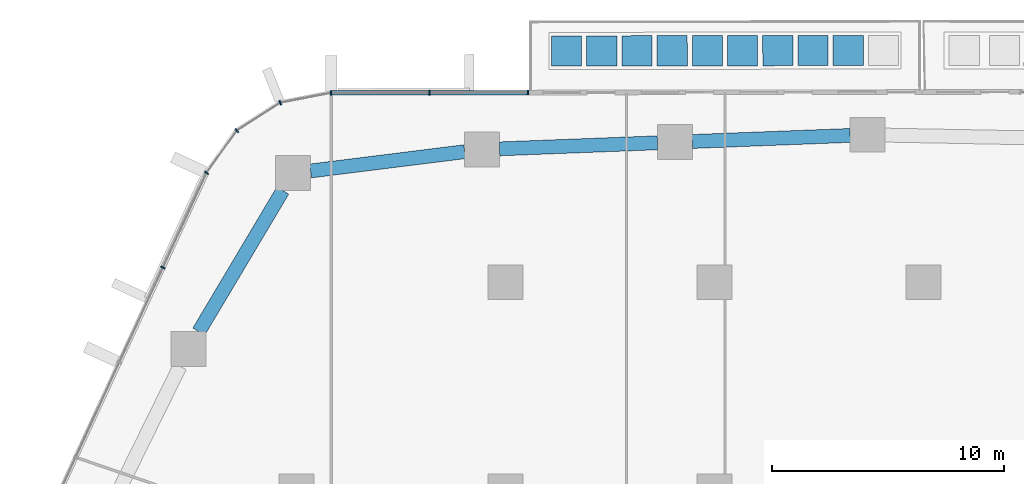
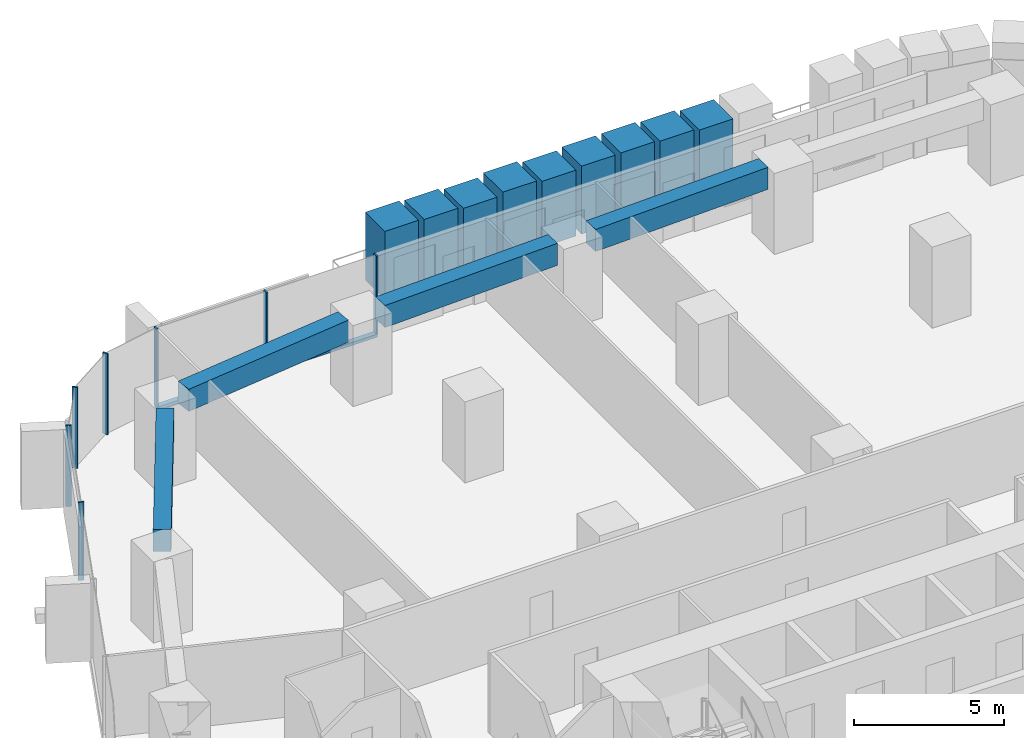
# One storey, part 9 of 26: 17 members, 4 beams, 3 elements without a shape of their own.
"""IFC4 building model written with IfcOpenShell, lengths in metres."""

from ifc_helpers import new_model, si_unit, direction, frame, origin, origin_2d, place, context, subcontext, project, spatial, rectangle, extrude, material, layer, layer_set, material_profile, profile_set, type_object, element, aggregate, save


model = new_model("IFC4")

# Units and contexts
model_context = context("Model", 3, precision=1e-05, world=origin(), true_north=direction((0.0, 1.0)))
body_context = subcontext(model_context, "Body", "Model", "MODEL_VIEW")
ifc_project = project(units=[si_unit("LENGTHUNIT", "METRE"), si_unit("AREAUNIT", "SQUARE_METRE"), si_unit("VOLUMEUNIT", "CUBIC_METRE"), si_unit("PLANEANGLEUNIT", "RADIAN"), si_unit("MASSUNIT", "GRAM", prefix="KILO")], contexts=[model_context])

# Site, building, storey
site_placement = place(None, origin())
site = spatial("IfcSite", under=ifc_project, at=site_placement, CompositionType="ELEMENT")
building_placement = place(site_placement, origin())
building = spatial("IfcBuilding", under=site, at=building_placement, Name="Dongbaek Canopy Tower", CompositionType="ELEMENT")
storey_placement = place(building_placement, frame((0.0, 0.0, 69.89990234375)))
storey = spatial("IfcBuildingStorey", under=building, at=storey_placement, Name="L13", CompositionType="ELEMENT", Elevation=69.89990234375)

# Curtain wall, members
ifc_material_1 = material(Name="Aluminium 6063-T6 pale anodised", Category="aluminium")
ifc_layer = layer(ifc_material_1, 0.199951171875)
ifc_layer_set = layer_set([ifc_layer], Name="CW-1 unitised tower curtain wall")
curtain_wall_type = type_object("IfcCurtainWallType", Name="CW-1 unitised tower curtain wall", PredefinedType="NOTDEFINED", material=ifc_layer_set)
curtain_wall_1_placement = place(storey_placement, origin())
curtain_wall_1 = element("IfcCurtainWall", 1, at=curtain_wall_1_placement, inside=storey, type_object=curtain_wall_type, Name="CW-1 curtain wall F1.1", PredefinedType="NOTDEFINED")
ifc_material_2 = material(Name="Aluminium 6063-T6 pale anodised", Category="aluminium")
ifc_material_profile_1 = material_profile(ifc_material_2, rectangle(XDim=0.199951171875, YDim=0.06005859375, at=origin_2d()), Name="CW-1 mullion 60 x 200")
ifc_profile_set_1 = profile_set([ifc_material_profile_1], Name="Aluminium 6063-T6 pale anodised")
member_type_1 = type_object("IfcMemberType", Name="CW-1 mullion 60 x 200", PredefinedType="MULLION", material=ifc_profile_set_1)
member_1_placement = place(storey_placement, frame((-8.030029296875, 35.165283203125, 0.1201171875), z_axis=(0.0, 0.0, 1.0), x_axis=(-0.00143427852, 0.999998971422, 0.0)))
member_1 = element("IfcMember", 2, at=member_1_placement, type_object=member_type_1, Name="CW-1 mullion F1.1.1", PredefinedType="MULLION", context=body_context, shape_type="SweptSolid", body=[
    extrude(rectangle(XDim=0.199951171875, YDim=0.06005859375, at=origin_2d()), origin(), (0.0, 0.0, 1.0), 3.179931640625),
])
member_2_placement = place(storey_placement, frame((-12.271240234375, 35.1591796875, 0.1201171875), z_axis=(0.0, 0.0, 1.0), x_axis=(-0.00143427852, 0.999998971422, 0.0)))
member_2 = element("IfcMember", 3, at=member_2_placement, type_object=member_type_1, Name="CW-1 mullion F1.1.2", PredefinedType="MULLION", context=body_context, shape_type="SweptSolid", body=[
    extrude(rectangle(XDim=0.199951171875, YDim=0.06005859375, at=origin_2d()), origin(), (0.0, 0.0, 1.0), 3.179931640625),
])
member_3_placement = place(storey_placement, frame((-16.5029296875, 35.153076171875, 0.1201171875), z_axis=(0.0, 0.0, 1.0), x_axis=(-0.00143427852, 0.999998971422, 0.0)))
member_3 = element("IfcMember", 4, at=member_3_placement, type_object=member_type_1, Name="CW-1 mullion F1.1.3", PredefinedType="MULLION", context=body_context, shape_type="SweptSolid", body=[
    extrude(rectangle(XDim=0.199951171875, YDim=0.06005859375, at=origin_2d()), origin(), (0.0, 0.0, 1.0), 3.179931640625),
])

curtain_wall_2_placement = place(storey_placement, origin())
curtain_wall_2 = element("IfcCurtainWall", 5, at=curtain_wall_2_placement, inside=storey, type_object=curtain_wall_type, Name="CW-1 curtain wall K2.1", PredefinedType="NOTDEFINED")
member_4_placement = place(storey_placement, frame((-18.696044921875, 34.728759765625, 0.0), z_axis=(0.0, 0.0, 1.0), x_axis=(-0.371661770672, 0.928368207244, 0.0)))
member_4 = element("IfcMember", 6, at=member_4_placement, type_object=member_type_1, Name="CW-1 mullion K2.1.2", PredefinedType="MULLION", context=body_context, shape_type="SweptSolid", body=[
    extrude(rectangle(XDim=0.199951171875, YDim=0.06005859375, at=origin_2d()), origin(), (0.0, 0.0, 1.0), 3.300048828125),
])
member_5_placement = place(storey_placement, frame((-20.56787109375, 33.52783203125, 0.0), z_axis=(0.0, 0.0, 1.0), x_axis=(-0.689039196048, 0.724724075983, 0.0)))
member_5 = element("IfcMember", 7, at=member_5_placement, type_object=member_type_1, Name="CW-1 mullion K2.1.3", PredefinedType="MULLION", context=body_context, shape_type="SweptSolid", body=[
    extrude(rectangle(XDim=0.199951171875, YDim=0.06005859375, at=origin_2d()), origin(), (0.0, 0.0, 1.0), 3.300048828125),
])
member_6_placement = place(storey_placement, frame((-21.86767578125, 31.7109375, 0.0), z_axis=(0.0, 0.0, 1.0), x_axis=(-0.813325049463, 0.581809559836, 0.0)))
member_6 = element("IfcMember", 8, at=member_6_placement, type_object=member_type_1, Name="CW-1 mullion K2.1.4", PredefinedType="MULLION", context=body_context, shape_type="SweptSolid", body=[
    extrude(rectangle(XDim=0.199951171875, YDim=0.06005859375, at=origin_2d()), origin(), (0.0, 0.0, 1.0), 3.300048828125),
])
aggregate(curtain_wall_2, [member_4, member_5, member_6])

# Curtain wall, member
curtain_wall_3_placement = place(storey_placement, origin())
curtain_wall_3 = element("IfcCurtainWall", 9, at=curtain_wall_3_placement, inside=storey, type_object=curtain_wall_type, Name="CW-1 curtain wall F2.1", PredefinedType="NOTDEFINED")
member_7_placement = place(storey_placement, frame((-23.743408203125, 27.634765625, 0.1201171875), z_axis=(0.0, 0.0, 1.0), x_axis=(-0.908435687115, 0.418024643264, 0.0)))
member_7 = element("IfcMember", 10, at=member_7_placement, type_object=member_type_1, Name="CW-1 mullion F2.1.2", PredefinedType="MULLION", context=body_context, shape_type="SweptSolid", body=[
    extrude(rectangle(XDim=0.199951171875, YDim=0.06005859375, at=origin_2d()), origin(), (0.0, 0.0, 1.0), 3.179931640625),
])
aggregate(curtain_wall_3, [member_7])

# Member
ifc_material_3 = material(Name="Aluminium 6063-T6 pale anodised", Category="aluminium")
ifc_material_profile_2 = material_profile(ifc_material_3, rectangle(XDim=0.199951171875, YDim=0.1201171875, at=origin_2d()), Name="CW-1 transom 120 x 200")
ifc_profile_set_2 = profile_set([ifc_material_profile_2], Name="Aluminium 6063-T6 pale anodised")
member_type_2 = type_object("IfcMemberType", Name="CW-1 transom 120 x 200", PredefinedType="USERDEFINED", material=ifc_profile_set_2)
member_8_placement = place(storey_placement, frame((-8.030029296875, 35.165283203125, 0.06005859375), z_axis=(-0.999998962172, -0.001440713099, 0.0), x_axis=(0.001440713099, -0.999998962172, 0.0)))
member_8 = element("IfcMember", 11, at=member_8_placement, type_object=member_type_2, Name="CW-1 transom F1.1.1", ObjectType="TRANSOM", PredefinedType="USERDEFINED", context=body_context, shape_type="SweptSolid", body=[
    extrude(rectangle(XDim=0.199951171875, YDim=0.1201171875, at=origin_2d()), origin(), (0.0, 0.0, 1.0), 8.472900390625),
])

aggregate(curtain_wall_1, [member_1, member_2, member_3, member_8])

# Beams
ifc_material_4 = material(Name="Concrete C80", Category="concrete")
ifc_material_profile_3 = material_profile(ifc_material_4, rectangle(XDim=0.60009765625, YDim=0.89990234375, at=origin_2d()), Name="RC EDGE BEAM 600x900 C80")
ifc_profile_set_3 = profile_set([ifc_material_profile_3], Name="Concrete C80")
beam_type = type_object("IfcBeamType", Name="RC EDGE BEAM 600x900 C80", PredefinedType="BEAM", material=ifc_profile_set_3)
beam_1_placement = place(storey_placement, frame((-22.201416015625, 24.875, 2.85009765625), z_axis=(0.511536684445, 0.859261438951, 0.0), x_axis=(-0.859261438951, 0.511536684445, 0.0)))
element("IfcBeam", 12, at=beam_1_placement, inside=storey, type_object=beam_type, Name="EDGEBEAM:L13:12", PredefinedType="BEAM", context=body_context, shape_type="SweptSolid", body=[
    extrude(rectangle(XDim=0.60009765625, YDim=0.89990234375, at=origin_2d()), origin(), (0.0, 0.0, 1.0), 7.06884765625),
])
beam_2_placement = place(storey_placement, frame((-17.388916015625, 31.79248046875, 2.85009765625), z_axis=(0.992300337098, 0.123854919137, 0.0), x_axis=(-0.123854919137, 0.992300337098, 0.0)))
element("IfcBeam", 13, at=beam_2_placement, inside=storey, type_object=beam_type, Name="EDGEBEAM:L13:13", PredefinedType="BEAM", context=body_context, shape_type="SweptSolid", body=[
    extrude(rectangle(XDim=0.60009765625, YDim=0.89990234375, at=origin_2d()), origin(), (0.0, 0.0, 1.0), 6.684326171875),
])
beam_3_placement = place(storey_placement, frame((-9.256103515625, 32.74267578125, 2.85009765625), z_axis=(0.999265250645, 0.038326999019, 0.0), x_axis=(-0.038326999019, 0.999265250645, 0.0)))
element("IfcBeam", 14, at=beam_3_placement, inside=storey, type_object=beam_type, Name="EDGEBEAM:L13:14", PredefinedType="BEAM", context=body_context, shape_type="SweptSolid", body=[
    extrude(rectangle(XDim=0.60009765625, YDim=0.89990234375, at=origin_2d()), origin(), (0.0, 0.0, 1.0), 6.802978515625),
])
beam_4_placement = place(storey_placement, frame((-0.9580078125, 33.060791015625, 2.85009765625), z_axis=(0.99927189778, 0.038153300073, 0.0), x_axis=(-0.038153300073, 0.99927189778, 0.0)))
element("IfcBeam", 15, at=beam_4_placement, inside=storey, type_object=beam_type, Name="EDGEBEAM:L13:15", PredefinedType="BEAM", context=body_context, shape_type="SweptSolid", body=[
    extrude(rectangle(XDim=0.60009765625, YDim=0.89990234375, at=origin_2d()), origin(), (0.0, 0.0, 1.0), 6.802001953125),
])

# Members
ifc_material_5 = material(Name="Concrete C40/50 planter mass with planting", Category="concrete")
ifc_material_profile_4 = material_profile(ifc_material_5, rectangle(XDim=1.300048828125, YDim=1.300048828125, at=origin_2d()), Name="Terrace PLANTER shrub mass 1300 x 1300")
ifc_profile_set_4 = profile_set([ifc_material_profile_4], Name="Concrete C40/50 planter mass with planting")
member_type_3 = type_object("IfcMemberType", Name="Terrace PLANTER shrub mass 1300 x 1300", PredefinedType="USERDEFINED", material=ifc_profile_set_4)
member_9_placement = place(storey_placement, frame((5.757080078125, 36.97509765625, 0.420166015625), z_axis=(0.0, 0.0, 1.0), x_axis=(-0.00143427852, 0.999998971422, 0.0)))
element("IfcMember", 16, at=member_9_placement, inside=storey, type_object=member_type_3, Name="Planter shrubs L13 2.2", ObjectType="PLANTER", PredefinedType="USERDEFINED", context=body_context, shape_type="SweptSolid", body=[
    extrude(rectangle(XDim=1.300048828125, YDim=1.300048828125, at=origin_2d()), origin(), (0.0, 0.0, 1.0), 2.64990234375),
])
member_10_placement = place(storey_placement, frame((4.24072265625, 36.972900390625, 0.420166015625), z_axis=(0.0, 0.0, 1.0), x_axis=(-0.00143427852, 0.999998971422, 0.0)))
element("IfcMember", 17, at=member_10_placement, inside=storey, type_object=member_type_3, Name="Planter shrubs L13 2.3", ObjectType="PLANTER", PredefinedType="USERDEFINED", context=body_context, shape_type="SweptSolid", body=[
    extrude(rectangle(XDim=1.300048828125, YDim=1.300048828125, at=origin_2d()), origin(), (0.0, 0.0, 1.0), 2.72998046875),
])
member_11_placement = place(storey_placement, frame((2.72412109375, 36.970703125, 0.420166015625), z_axis=(0.0, 0.0, 1.0), x_axis=(-0.00143427852, 0.999998971422, 0.0)))
element("IfcMember", 18, at=member_11_placement, inside=storey, type_object=member_type_3, Name="Planter shrubs L13 2.4", ObjectType="PLANTER", PredefinedType="USERDEFINED", context=body_context, shape_type="SweptSolid", body=[
    extrude(rectangle(XDim=1.300048828125, YDim=1.300048828125, at=origin_2d()), origin(), (0.0, 0.0, 1.0), 2.780029296875),
])
member_12_placement = place(storey_placement, frame((1.207763671875, 36.968505859375, 0.420166015625), z_axis=(0.0, 0.0, 1.0), x_axis=(-0.00143427852, 0.999998971422, 0.0)))
element("IfcMember", 19, at=member_12_placement, inside=storey, type_object=member_type_3, Name="Planter shrubs L13 2.5", ObjectType="PLANTER", PredefinedType="USERDEFINED", context=body_context, shape_type="SweptSolid", body=[
    extrude(rectangle(XDim=1.300048828125, YDim=1.300048828125, at=origin_2d()), origin(), (0.0, 0.0, 1.0), 2.77001953125),
])
member_13_placement = place(storey_placement, frame((-0.30859375, 36.96630859375, 0.420166015625), z_axis=(0.0, 0.0, 1.0), x_axis=(-0.00143427852, 0.999998971422, 0.0)))
element("IfcMember", 20, at=member_13_placement, inside=storey, type_object=member_type_3, Name="Planter shrubs L13 2.6", ObjectType="PLANTER", PredefinedType="USERDEFINED", context=body_context, shape_type="SweptSolid", body=[
    extrude(rectangle(XDim=1.300048828125, YDim=1.300048828125, at=origin_2d()), origin(), (0.0, 0.0, 1.0), 2.68994140625),
])
member_14_placement = place(storey_placement, frame((-1.8251953125, 36.96435546875, 0.420166015625), z_axis=(0.0, 0.0, 1.0), x_axis=(-0.00143427852, 0.999998971422, 0.0)))
element("IfcMember", 21, at=member_14_placement, inside=storey, type_object=member_type_3, Name="Planter shrubs L13 2.7", ObjectType="PLANTER", PredefinedType="USERDEFINED", context=body_context, shape_type="SweptSolid", body=[
    extrude(rectangle(XDim=1.300048828125, YDim=1.300048828125, at=origin_2d()), origin(), (0.0, 0.0, 1.0), 2.780029296875),
])
member_15_placement = place(storey_placement, frame((-3.341552734375, 36.962158203125, 0.420166015625), z_axis=(0.0, 0.0, 1.0), x_axis=(-0.00143427852, 0.999998971422, 0.0)))
element("IfcMember", 22, at=member_15_placement, inside=storey, type_object=member_type_3, Name="Planter shrubs L13 2.8", ObjectType="PLANTER", PredefinedType="USERDEFINED", context=body_context, shape_type="SweptSolid", body=[
    extrude(rectangle(XDim=1.300048828125, YDim=1.300048828125, at=origin_2d()), origin(), (0.0, 0.0, 1.0), 2.64990234375),
])
member_16_placement = place(storey_placement, frame((-4.85791015625, 36.9599609375, 0.420166015625), z_axis=(0.0, 0.0, 1.0), x_axis=(-0.00143427852, 0.999998971422, 0.0)))
element("IfcMember", 23, at=member_16_placement, inside=storey, type_object=member_type_3, Name="Planter shrubs L13 2.9", ObjectType="PLANTER", PredefinedType="USERDEFINED", context=body_context, shape_type="SweptSolid", body=[
    extrude(rectangle(XDim=1.300048828125, YDim=1.300048828125, at=origin_2d()), origin(), (0.0, 0.0, 1.0), 2.72998046875),
])
member_17_placement = place(storey_placement, frame((-6.37451171875, 36.957763671875, 0.420166015625), z_axis=(0.0, 0.0, 1.0), x_axis=(-0.00143427852, 0.999998971422, 0.0)))
element("IfcMember", 24, at=member_17_placement, inside=storey, type_object=member_type_3, Name="Planter shrubs L13 2.10", ObjectType="PLANTER", PredefinedType="USERDEFINED", context=body_context, shape_type="SweptSolid", body=[
    extrude(rectangle(XDim=1.300048828125, YDim=1.300048828125, at=origin_2d()), origin(), (0.0, 0.0, 1.0), 2.780029296875),
])

save(model, "model.ifc")
